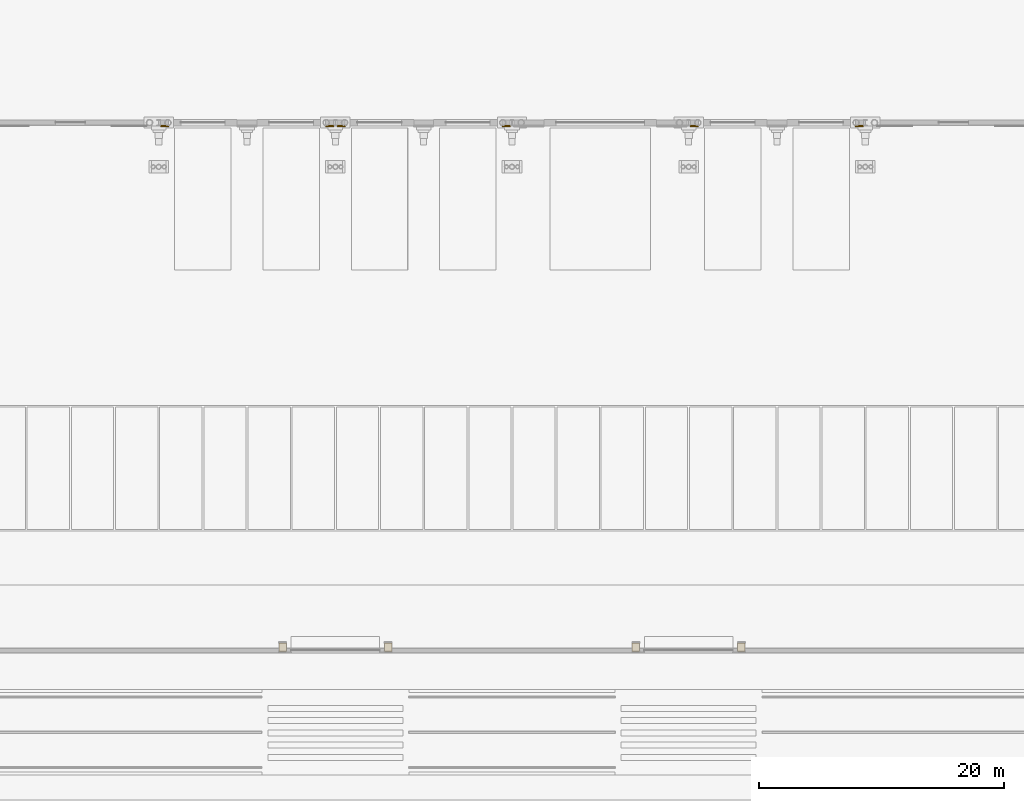
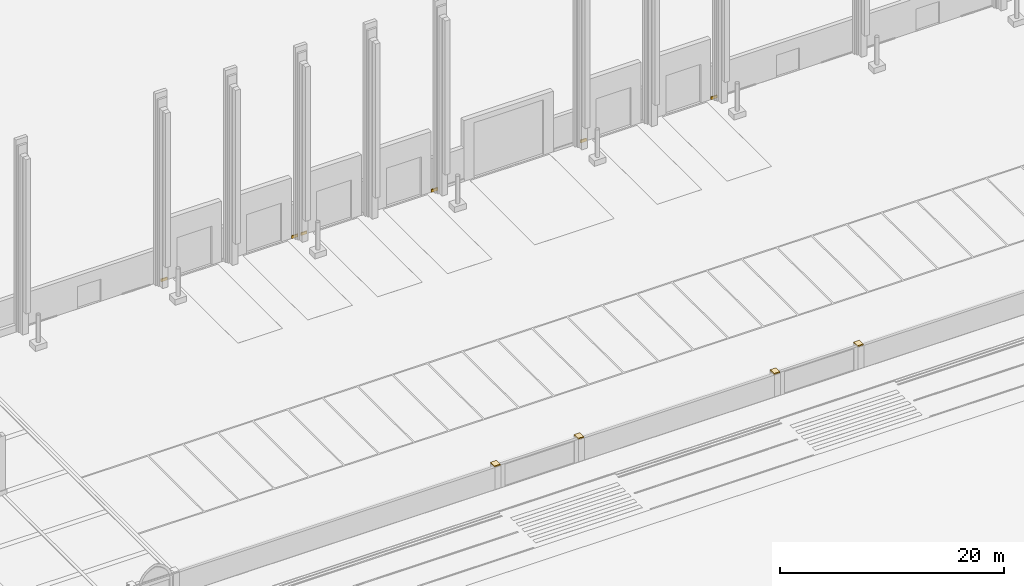
# One storey, part 145 of 148: 10 coverings.
"""IFC4 building model written with IfcOpenShell, lengths in metres."""

from ifc_helpers import new_model, si_unit, direction, frame, origin, origin_2d, place, context, subcontext, project, spatial, polyline, rectangle, outline, extrude, material, layer, layer_set, type_object, element, save


model = new_model("IFC4")

# Units and contexts
model_context = context("Model", 3, precision=1e-05, world=origin(), true_north=direction((0.0, 1.0)))
body_context = subcontext(model_context, "Body", "Model", "MODEL_VIEW")
ifc_project = project(units=[si_unit("LENGTHUNIT", "METRE"), si_unit("AREAUNIT", "SQUARE_METRE"), si_unit("VOLUMEUNIT", "CUBIC_METRE"), si_unit("PLANEANGLEUNIT", "RADIAN"), si_unit("MASSUNIT", "GRAM", prefix="KILO")], contexts=[model_context])

# Site, building, storey
site_placement = place(None, origin())
site = spatial("IfcSite", under=ifc_project, at=site_placement, CompositionType="ELEMENT")
building_placement = place(site_placement, origin())
building = spatial("IfcBuilding", under=site, at=building_placement, Name="Kupolbacken Congress Centre", CompositionType="ELEMENT")
storey_placement = place(building_placement, origin())
storey = spatial("IfcBuildingStorey", under=building, at=storey_placement, Name="L00", CompositionType="ELEMENT", Elevation=0.0)

# Coverings
ifc_material_1 = material(Name="Limestone cladding", Category="masonry")
ifc_layer_1 = layer(ifc_material_1, 0.1201171875)
ifc_layer_set_1 = layer_set([ifc_layer_1], Name="Limestone cladding")
covering_type_1 = type_object("IfcCoveringType", Name="CV1 limestone cladding band 120", PredefinedType="CLADDING", material=ifc_layer_set_1)
covering_1_placement = place(storey_placement, frame((0.0, 0.0, 2.39990234375)))
element("IfcCovering", 1, at=covering_1_placement, inside=storey, type_object=covering_type_1, Name="Limestone coping on boundary wall", PredefinedType="CLADDING", context=body_context, shape_type="SweptSolid", body=[
    extrude(outline(polyline([(118.39990234375, 0.794921875), (118.39990234375, 0.094970703125), (117.800048828125, 0.094970703125), (117.800048828125, 0.794921875), (118.39990234375, 0.794921875)])), origin(), (0.0, 0.0, 1.0), 0.1201171875),
])
covering_2_placement = place(storey_placement, frame((0.0, 0.0, 2.39990234375)))
element("IfcCovering", 2, at=covering_2_placement, inside=storey, type_object=covering_type_1, Name="Limestone coping on boundary wall", PredefinedType="CLADDING", context=body_context, shape_type="SweptSolid", body=[
    extrude(outline(polyline([(126.39990234375, 0.094970703125), (126.39990234375, 0.794921875), (127.0, 0.794921875), (127.0, 0.094970703125), (126.39990234375, 0.094970703125)])), origin(), (0.0, 0.0, 1.0), 0.1201171875),
])
covering_3_placement = place(storey_placement, frame((0.0, 0.0, 2.39990234375)))
element("IfcCovering", 3, at=covering_3_placement, inside=storey, type_object=covering_type_1, Name="Limestone coping on boundary wall", PredefinedType="CLADDING", context=body_context, shape_type="SweptSolid", body=[
    extrude(outline(polyline([(147.199951171875, 0.794921875), (147.199951171875, 0.094970703125), (146.60009765625, 0.094970703125), (146.60009765625, 0.794921875), (147.199951171875, 0.794921875)])), origin(), (0.0, 0.0, 1.0), 0.1201171875),
])
covering_4_placement = place(storey_placement, frame((0.0, 0.0, 2.39990234375)))
element("IfcCovering", 4, at=covering_4_placement, inside=storey, type_object=covering_type_1, Name="Limestone coping on boundary wall", PredefinedType="CLADDING", context=body_context, shape_type="SweptSolid", body=[
    extrude(outline(polyline([(155.199951171875, 0.094970703125), (155.199951171875, 0.794921875), (155.800048828125, 0.794921875), (155.800048828125, 0.094970703125), (155.199951171875, 0.094970703125)])), origin(), (0.0, 0.0, 1.0), 0.1201171875),
])
ifc_material_2 = material(Name="Brick cladding", Category="masonry")
ifc_layer_2 = layer(ifc_material_2, 0.10791015625)
ifc_layer_set_2 = layer_set([ifc_layer_2], Name="Brick cladding")
covering_type_2 = type_object("IfcCoveringType", Name="CV2 brick cladding band 108", PredefinedType="CLADDING", material=ifc_layer_set_2)
for number, where, z_axis, x_axis, name in (
    (5, (108.47509765625, 42.93603515625, 0.0), (0.0, 0.0, 1.0), (1.0, 0.0, 0.0), "E/H/S/L00/070/band"),
    (6, (121.925048828125, 42.93603515625, 0.0), (0.0, 0.0, 1.0), (1.0, 0.0, 0.0), "E/H/S/L00/074/band"),
    (7, (122.875, 42.93603515625, 0.0), (0.0, 0.0, 1.0), (1.0, 0.0, 0.0), "E/H/S/L00/075/band"),
    (8, (136.324951171875, 42.93603515625, 0.0), (0.0, 0.0, 1.0), (1.0, 0.0, 0.0), "E/H/S/L00/079/band"),
    (9, (151.675048828125, 42.93603515625, 0.0), (0.0, 0.0, 1.0), (1.0, 0.0, 0.0), "E/H/S/L00/083/band"),
    (10, (165.125, 42.93603515625, 0.0), (0.0, 0.0, 1.0), (1.0, 0.0, 0.0), "E/H/S/L00/087/band"),
):
    element("IfcCovering", number, at=place(storey_placement, frame(where, z_axis=z_axis, x_axis=x_axis)), inside=storey, type_object=covering_type_2, Name=name, PredefinedType="CLADDING", context=body_context, shape_type="SweptSolid", body=[
        extrude(rectangle(XDim=0.64990234375, YDim=0.10791015625, at=origin_2d()), origin(), (0.0, 0.0, 1.0), 0.300048828125),
    ])

save(model, "model.ifc")
